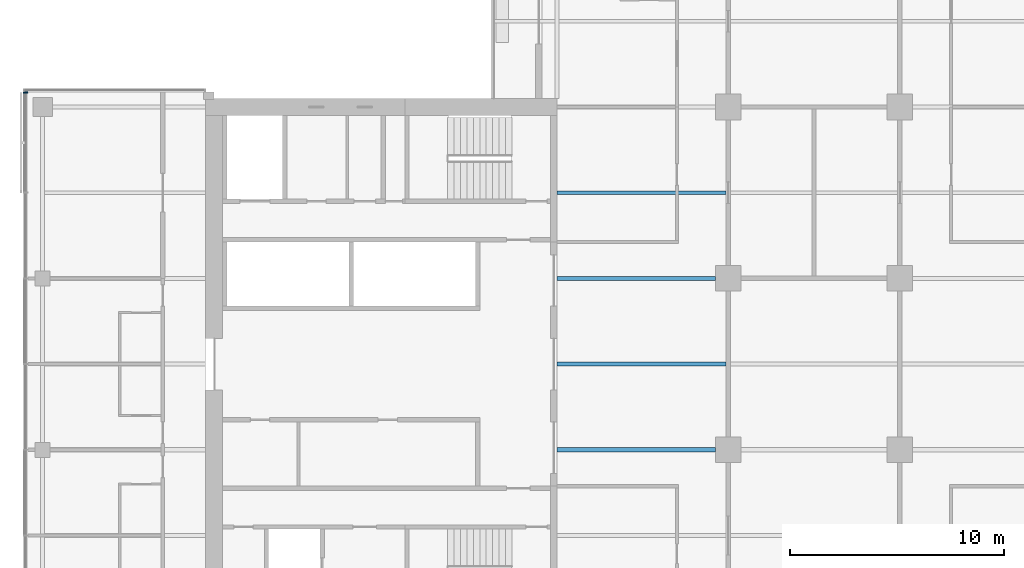
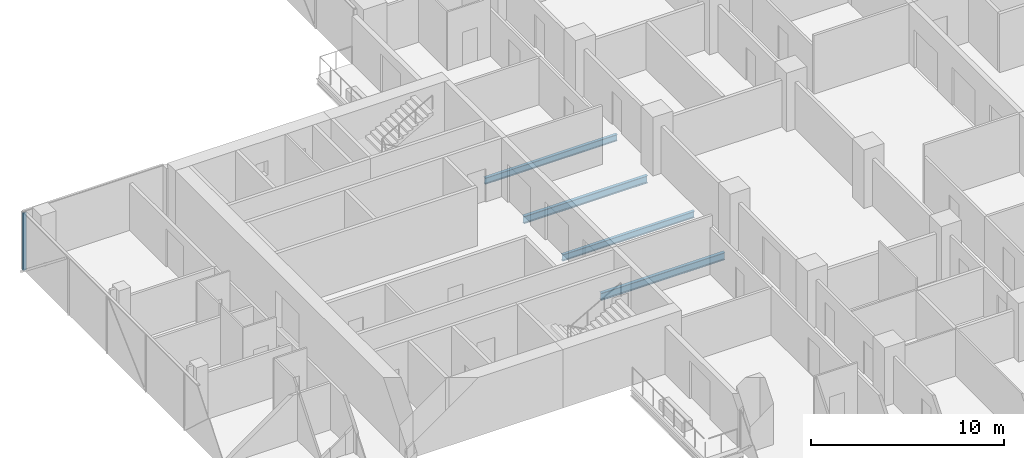
# One storey, part 7 of 27: 4 beams, 1 member, 1 element without a shape of its own.
"""IFC4 building model written with IfcOpenShell, lengths in metres."""

from ifc_helpers import new_model, si_unit, direction, frame, origin, origin_2d, place, context, subcontext, project, spatial, rectangle, i_section, extrude, material, material_profile, profile_set, type_object, element, aggregate, save


model = new_model("IFC4")

# Units and contexts
model_context = context("Model", 3, precision=1e-05, world=origin(), true_north=direction((0.0, 1.0)))
body_context = subcontext(model_context, "Body", "Model", "MODEL_VIEW")
ifc_project = project(units=[si_unit("LENGTHUNIT", "METRE"), si_unit("AREAUNIT", "SQUARE_METRE"), si_unit("VOLUMEUNIT", "CUBIC_METRE"), si_unit("PLANEANGLEUNIT", "RADIAN"), si_unit("MASSUNIT", "GRAM", prefix="KILO")], contexts=[model_context])

# Site, building, storey
site_placement = place(None, origin())
site = spatial("IfcSite", under=ifc_project, at=site_placement, CompositionType="ELEMENT")
building_placement = place(site_placement, origin())
building = spatial("IfcBuilding", under=site, at=building_placement, Name="Crosswind Convention Tower", CompositionType="ELEMENT")
storey_placement = place(building_placement, frame((0.0, 0.0, 83.10009765625)))
storey = spatial("IfcBuildingStorey", under=building, at=storey_placement, Name="L15", CompositionType="ELEMENT", Elevation=83.10009765625)

# Beams
ifc_material_1 = material(Name="Steel S355", Category="steel")
ifc_material_profile_1 = material_profile(ifc_material_1, i_section(OverallWidth=0.19189453125, OverallDepth=0.463623046875, WebThickness=0.010498046875, FlangeThickness=0.017578125, FilletRadius=0.01025390625, at=origin_2d()), Name="UB 457x191x90")
ifc_profile_set_1 = profile_set([ifc_material_profile_1], Name="Steel S355")
beam_type_1 = type_object("IfcBeamType", Name="Girder at core wall UB 457x191x90", PredefinedType="BEAM", material=ifc_profile_set_1)
for number, where, z_axis, x_axis, name in (
    (1, (113.0, 96.0, -0.511962890625), (1.0, 0.0, 0.0), (0.0, 1.0, 0.0), "B24 L15 girder at core wall 4"),
    (2, (113.0, 104.0, -0.511962890625), (1.0, 0.0, 0.0), (0.0, 1.0, 0.0), "B24 L15 girder at core wall 5"),
):
    element("IfcBeam", number, at=place(storey_placement, frame(where, z_axis=z_axis, x_axis=x_axis)), inside=storey, type_object=beam_type_1, Name=name, PredefinedType="BEAM", context=body_context, shape_type="SweptSolid", body=[
        extrude(i_section(OverallWidth=0.19189453125, OverallDepth=0.463623046875, WebThickness=0.010498046875, FlangeThickness=0.017578125, FilletRadius=0.01025390625, at=origin_2d()), origin(), (0.0, 0.0, 1.0), 7.39990234375),
    ])

# Curtain wall, member
ifc_material_2 = material(Name="Aluminium unitised curtain wall", Category="aluminium")
curtain_wall_type = type_object("IfcCurtainWallType", Name="HOTEL UNITISED WALL 200", PredefinedType="USERDEFINED", material=ifc_material_2)
curtain_wall_placement = place(storey_placement, origin())
curtain_wall = element("IfcCurtainWall", 3, at=curtain_wall_placement, inside=storey, type_object=curtain_wall_type, Name="CW2 L15 W-TIP 1", ObjectType="UNITISED", PredefinedType="USERDEFINED")
ifc_material_3 = material(Name="Aluminium mullion", Category="aluminium")
ifc_material_profile_2 = material_profile(ifc_material_3, rectangle(XDim=0.199951171875, YDim=0.06494140625, at=origin_2d()), Name="AL 200X65")
ifc_profile_set_2 = profile_set([ifc_material_profile_2], Name="Aluminium mullion")
member_type = type_object("IfcMemberType", Name="MULLION 65X200", PredefinedType="MULLION", material=ifc_profile_set_2)
member_placement = place(storey_placement, frame((88.199951171875, 112.66748046875, -0.280029296875), z_axis=(0.0, 0.0, 1.0), x_axis=(-1.0, 0.0, 0.0)))
member = element("IfcMember", 4, at=member_placement, type_object=member_type, Name="CW2 mullion 1", PredefinedType="MULLION", context=body_context, shape_type="SweptSolid", body=[
    extrude(rectangle(XDim=0.199951171875, YDim=0.06494140625, at=origin_2d()), origin(), (0.0, 0.0, 1.0), 3.635009765625),
])
aggregate(curtain_wall, [member])

# Beams
ifc_material_profile_3 = material_profile(ifc_material_1, i_section(OverallWidth=0.177734375, OverallDepth=0.406494140625, WebThickness=0.0078125, FlangeThickness=0.0126953125, FilletRadius=0.01025390625, at=origin_2d()), Name="UB 406x178x60")
ifc_profile_set_3 = profile_set([ifc_material_profile_3], Name="Steel S355")
beam_type_2 = type_object("IfcBeamType", Name="Secondary beam UB 406x178x60", PredefinedType="JOIST", material=ifc_profile_set_3)
for number, where, z_axis, x_axis, name in (
    (5, (113.0, 100.0, -0.4833984375), (1.0, 0.0, 0.0), (0.0, 1.0, 0.0), "B10 L15 secondary beam 5"),
    (6, (113.0, 108.0, -0.4833984375), (1.0, 0.0, 0.0), (0.0, 1.0, 0.0), "B10 L15 secondary beam 6"),
):
    element("IfcBeam", number, at=place(storey_placement, frame(where, z_axis=z_axis, x_axis=x_axis)), inside=storey, type_object=beam_type_2, Name=name, PredefinedType="JOIST", context=body_context, shape_type="SweptSolid", body=[
        extrude(i_section(OverallWidth=0.177734375, OverallDepth=0.406494140625, WebThickness=0.0078125, FlangeThickness=0.0126953125, FilletRadius=0.01025390625, at=origin_2d()), origin(), (0.0, 0.0, 1.0), 7.904296875),
    ])

save(model, "model.ifc")
